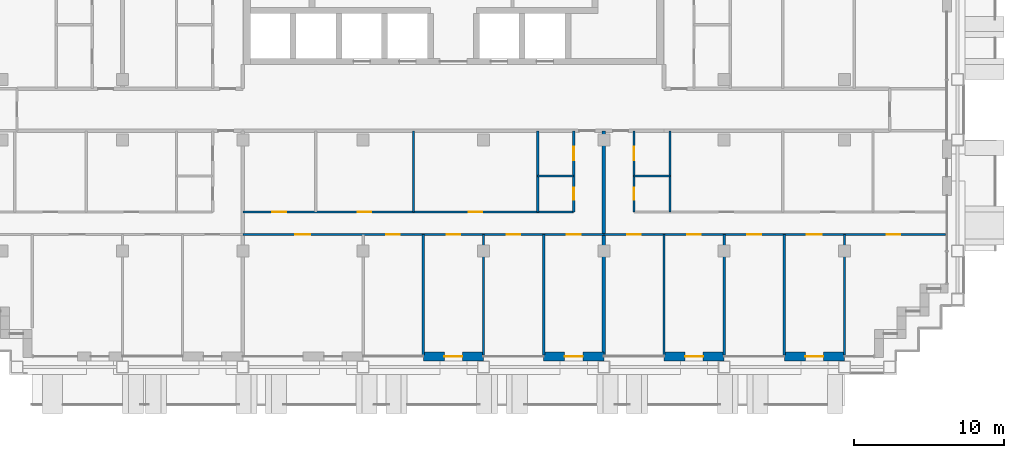
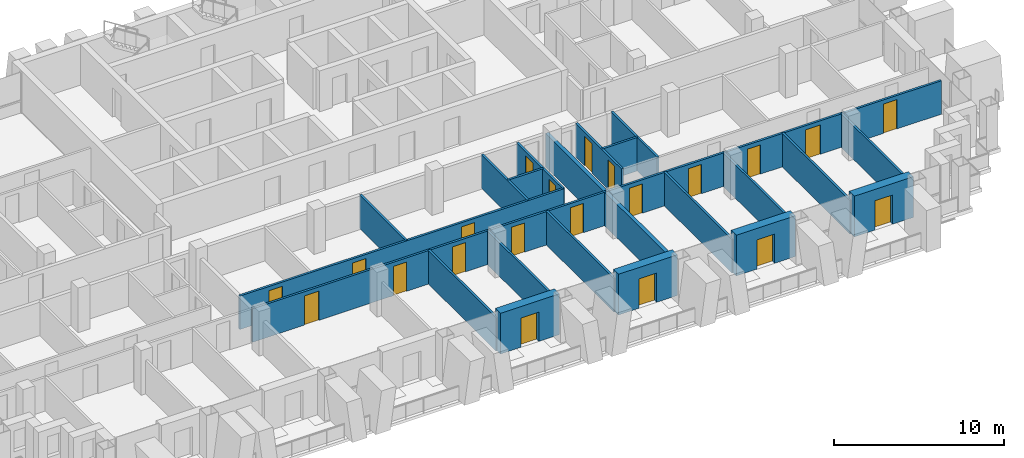
# One storey, part 9 of 18: 22 walls, 21 doors, 21 openings.
"""IFC4 building model written with IfcOpenShell, lengths in metres."""

from ifc_helpers import new_model, si_unit, direction, frame, frame_2d, origin, place, context, subcontext, project, spatial, rectangle, extrude, material, layer, layer_set, type_object, element, fill, save


model = new_model("IFC4")

# Units and contexts
model_context = context("Model", 3, precision=1e-05, world=origin(), true_north=direction((0.0, 1.0)))
body_context = subcontext(model_context, "Body", "Model", "MODEL_VIEW")
ifc_project = project(units=[si_unit("LENGTHUNIT", "METRE"), si_unit("AREAUNIT", "SQUARE_METRE"), si_unit("VOLUMEUNIT", "CUBIC_METRE"), si_unit("PLANEANGLEUNIT", "RADIAN"), si_unit("MASSUNIT", "GRAM", prefix="KILO")], contexts=[model_context])

# Site, building, storey
site_placement = place(None, origin())
site = spatial("IfcSite", under=ifc_project, at=site_placement, CompositionType="ELEMENT")
building_placement = place(site_placement, origin())
building = spatial("IfcBuilding", under=site, at=building_placement, Name="Vidyagriha Tower", CompositionType="ELEMENT")
storey_placement = place(building_placement, frame((0.0, 0.0, 142.199951171875)))
storey = spatial("IfcBuildingStorey", under=building, at=storey_placement, Name="L37", CompositionType="ELEMENT", Elevation=142.199951171875)

# Wall, opening, door
ifc_material_1 = material(Name="Precast concrete C40/50 with brick facing", Category="concrete")
ifc_layer_1 = layer(ifc_material_1, 0.60009765625)
ifc_layer_set_1 = layer_set([ifc_layer_1], Name="Precast concrete C40/50 with brick facing")
wall_type_1 = type_object("IfcWallType", Name="Brick-faced precast wall 600", PredefinedType="STANDARD", material=ifc_layer_set_1)
wall_1_placement = place(storey_placement, frame((-2.0, -16.39990234375, 0.0)))
wall_1 = element("IfcWall", 1, at=wall_1_placement, inside=storey, type_object=wall_type_1, Name="Brick door bay wall L37 R23.8", PredefinedType="STANDARD", context=body_context, shape_type="SweptSolid", body=[
    extrude(rectangle(XDim=4.0, YDim=0.60009765625, at=frame_2d((2.0, 0.0))), origin(), (0.0, 0.0, 1.0), 2.920166015625),
])
opening_1_placement = place(wall_1_placement, frame((1.39990234375, 0.0, 0.0)))
opening_1 = element("IfcOpeningElement", 2, at=opening_1_placement, cuts=wall_1, Name="Opening D37-71", PredefinedType="OPENING", context=body_context, shape_type="SweptSolid", body=[
    extrude(rectangle(XDim=1.199951171875, YDim=2.10009765625, at=frame_2d((0.60009765625, 1.050048828125))), frame((0.0, 0.31005859375, 0.0), z_axis=(0.0, -1.0, 0.0), x_axis=(1.0, 0.0, 0.0)), (0.0, 0.0, 1.0), 0.6201171875),
])
ifc_material_2 = material(Name="Aluminium framed glazed sliding door", Category="aluminium")
door_type_1 = type_object("IfcDoorType", Name="Balcony sliding door 1200x2100", OperationType="NOTDEFINED", PredefinedType="DOOR", material=ifc_material_2)
door_1_placement = place(opening_1_placement, origin())
door_1 = element("IfcDoor", 3, at=door_1_placement, inside=storey, type_object=door_type_1, Name="Door D37-71", OperationType="SLIDING_TO_LEFT", OverallHeight=2.10009765625, OverallWidth=1.199951171875, PredefinedType="DOOR", context=body_context, shape_type="SweptSolid", body=[
    extrude(rectangle(XDim=1.199951171875, YDim=2.10009765625, at=frame_2d((0.60009765625, 1.050048828125))), frame((0.0, 0.02490234375, 0.0), z_axis=(0.0, -1.0, 0.0), x_axis=(1.0, 0.0, 0.0)), (0.0, 0.0, 1.0), 0.050048828125),
])
fill(opening_1, door_1)

wall_2_placement = place(storey_placement, frame((6.0, -16.39990234375, 0.0)))
wall_2 = element("IfcWall", 4, at=wall_2_placement, inside=storey, type_object=wall_type_1, Name="Brick door bay wall L37 R23.10", PredefinedType="STANDARD", context=body_context, shape_type="SweptSolid", body=[
    extrude(rectangle(XDim=4.0, YDim=0.60009765625, at=frame_2d((2.0, 0.0))), origin(), (0.0, 0.0, 1.0), 2.920166015625),
])
opening_2_placement = place(wall_2_placement, frame((1.39990234375, 0.0, 0.0)))
opening_2 = element("IfcOpeningElement", 5, at=opening_2_placement, cuts=wall_2, Name="Opening D37-72", PredefinedType="OPENING", context=body_context, shape_type="SweptSolid", body=[
    extrude(rectangle(XDim=1.199951171875, YDim=2.10009765625, at=frame_2d((0.60009765625, 1.050048828125))), frame((0.0, 0.31005859375, 0.0), z_axis=(0.0, -1.0, 0.0), x_axis=(1.0, 0.0, 0.0)), (0.0, 0.0, 1.0), 0.6201171875),
])
door_2_placement = place(opening_2_placement, origin())
door_2 = element("IfcDoor", 6, at=door_2_placement, inside=storey, type_object=door_type_1, Name="Door D37-72", OperationType="SLIDING_TO_LEFT", OverallHeight=2.10009765625, OverallWidth=1.199951171875, PredefinedType="DOOR", context=body_context, shape_type="SweptSolid", body=[
    extrude(rectangle(XDim=1.199951171875, YDim=2.10009765625, at=frame_2d((0.60009765625, 1.050048828125))), frame((0.0, 0.02490234375, 0.0), z_axis=(0.0, -1.0, 0.0), x_axis=(1.0, 0.0, 0.0)), (0.0, 0.0, 1.0), 0.050048828125),
])
fill(opening_2, door_2)

wall_3_placement = place(storey_placement, frame((14.0, -16.39990234375, 0.0)))
wall_3 = element("IfcWall", 7, at=wall_3_placement, inside=storey, type_object=wall_type_1, Name="Brick door bay wall L37 R23.12", PredefinedType="STANDARD", context=body_context, shape_type="SweptSolid", body=[
    extrude(rectangle(XDim=4.0, YDim=0.60009765625, at=frame_2d((2.0, 0.0))), origin(), (0.0, 0.0, 1.0), 2.920166015625),
])
opening_3_placement = place(wall_3_placement, frame((1.39990234375, 0.0, 0.0)))
opening_3 = element("IfcOpeningElement", 8, at=opening_3_placement, cuts=wall_3, Name="Opening D37-73", PredefinedType="OPENING", context=body_context, shape_type="SweptSolid", body=[
    extrude(rectangle(XDim=1.199951171875, YDim=2.10009765625, at=frame_2d((0.60009765625, 1.050048828125))), frame((0.0, 0.31005859375, 0.0), z_axis=(0.0, -1.0, 0.0), x_axis=(1.0, 0.0, 0.0)), (0.0, 0.0, 1.0), 0.6201171875),
])
door_3_placement = place(opening_3_placement, origin())
door_3 = element("IfcDoor", 9, at=door_3_placement, inside=storey, type_object=door_type_1, Name="Door D37-73", OperationType="SLIDING_TO_LEFT", OverallHeight=2.10009765625, OverallWidth=1.199951171875, PredefinedType="DOOR", context=body_context, shape_type="SweptSolid", body=[
    extrude(rectangle(XDim=1.199951171875, YDim=2.10009765625, at=frame_2d((0.60009765625, 1.050048828125))), frame((0.0, 0.02490234375, 0.0), z_axis=(0.0, -1.0, 0.0), x_axis=(1.0, 0.0, 0.0)), (0.0, 0.0, 1.0), 0.050048828125),
])
fill(opening_3, door_3)

wall_4_placement = place(storey_placement, frame((22.0, -16.39990234375, 0.0)))
wall_4 = element("IfcWall", 10, at=wall_4_placement, inside=storey, type_object=wall_type_1, Name="Brick door bay wall L37 R23.14", PredefinedType="STANDARD", context=body_context, shape_type="SweptSolid", body=[
    extrude(rectangle(XDim=4.0, YDim=0.60009765625, at=frame_2d((2.0, 0.0))), origin(), (0.0, 0.0, 1.0), 2.920166015625),
])
opening_4_placement = place(wall_4_placement, frame((1.39990234375, 0.0, 0.0)))
opening_4 = element("IfcOpeningElement", 11, at=opening_4_placement, cuts=wall_4, Name="Opening D37-74", PredefinedType="OPENING", context=body_context, shape_type="SweptSolid", body=[
    extrude(rectangle(XDim=1.199951171875, YDim=2.10009765625, at=frame_2d((0.60009765625, 1.050048828125))), frame((0.0, 0.31005859375, 0.0), z_axis=(0.0, -1.0, 0.0), x_axis=(1.0, 0.0, 0.0)), (0.0, 0.0, 1.0), 0.6201171875),
])
door_4_placement = place(opening_4_placement, origin())
door_4 = element("IfcDoor", 12, at=door_4_placement, inside=storey, type_object=door_type_1, Name="Door D37-74", OperationType="SLIDING_TO_LEFT", OverallHeight=2.10009765625, OverallWidth=1.199951171875, PredefinedType="DOOR", context=body_context, shape_type="SweptSolid", body=[
    extrude(rectangle(XDim=1.199951171875, YDim=2.10009765625, at=frame_2d((0.60009765625, 1.050048828125))), frame((0.0, 0.02490234375, 0.0), z_axis=(0.0, -1.0, 0.0), x_axis=(1.0, 0.0, 0.0)), (0.0, 0.0, 1.0), 0.050048828125),
])
fill(opening_4, door_4)

# Walls
ifc_material_3 = material(Name="Fired clay brick masonry", Category="masonry")
ifc_layer_2 = layer(ifc_material_3, 0.25)
ifc_layer_set_2 = layer_set([ifc_layer_2], Name="Fired clay brick masonry")
wall_type_2 = type_object("IfcWallType", Name="Fired clay brick demising wall 250", PredefinedType="PARTITIONING", material=ifc_layer_set_2)
wall_5_placement = place(storey_placement, frame((10.0, -1.39990234375, 0.0), z_axis=(0.0, 0.0, 1.0), x_axis=(0.0, -1.0, 0.0)))
element("IfcWall", 13, at=wall_5_placement, inside=storey, type_object=wall_type_2, Name="Wall all-L37-w066", PredefinedType="PARTITIONING", context=body_context, shape_type="SweptSolid", body=[
    extrude(rectangle(XDim=14.91015625, YDim=0.25, at=frame_2d((7.455078125, 0.0))), origin(), (0.0, 0.0, 1.0), 2.400146484375),
])
ifc_material_4 = material(Name="Gypsum board partition")
ifc_layer_3 = layer(ifc_material_4, 0.14990234375)
ifc_layer_set_3 = layer_set([ifc_layer_3], Name="Gypsum board partition")
wall_type_3 = type_object("IfcWallType", Name="Gypsum board partition 150", PredefinedType="PARTITIONING", material=ifc_layer_set_3)
wall_6_placement = place(storey_placement, frame((8.0, -4.39990234375, 0.0), z_axis=(0.0, 0.0, 1.0), x_axis=(-1.0, 0.0, 0.0)))
element("IfcWall", 14, at=wall_6_placement, inside=storey, type_object=wall_type_3, Name="Wall all-L37-w024", PredefinedType="PARTITIONING", context=body_context, shape_type="SweptSolid", body=[
    extrude(rectangle(XDim=2.39990234375, YDim=0.14990234375, at=frame_2d((1.199951171875, 0.0))), origin(), (0.0, 0.0, 1.0), 2.400146484375),
])
for number, where, z_axis, x_axis, name in (
    (15, (5.60009765625, -6.800048828125, 0.0), (0.0, 0.0, 1.0), (0.0, 1.0, 0.0), "Wall all-L37-w025"),
    (16, (-2.64990234375, -6.800048828125, 0.0), (0.0, 0.0, 1.0), (0.0, 1.0, 0.0), "Wall all-L37-w026"),
):
    element("IfcWall", number, at=place(storey_placement, frame(where, z_axis=z_axis, x_axis=x_axis)), inside=storey, type_object=wall_type_3, Name=name, PredefinedType="PARTITIONING", context=body_context, shape_type="SweptSolid", body=[
        extrude(rectangle(XDim=5.400146484375, YDim=0.14990234375, at=frame_2d((2.7001953125, 0.0))), origin(), (0.0, 0.0, 1.0), 2.400146484375),
    ])

# Wall, openings, doors
wall_7_placement = place(storey_placement, frame((-14.0, -6.800048828125, 0.0)))
wall_7 = element("IfcWall", 17, at=wall_7_placement, inside=storey, type_object=wall_type_3, Name="Wall all-L37-w028", PredefinedType="PARTITIONING", context=body_context, shape_type="SweptSolid", body=[
    extrude(rectangle(XDim=22.0, YDim=0.14990234375, at=frame_2d((11.0, 0.0))), origin(), (0.0, 0.0, 1.0), 2.400146484375),
])
opening_5_placement = place(wall_7_placement, frame((15.02490234375, 0.0, 0.0)))
opening_5 = element("IfcOpeningElement", 18, at=opening_5_placement, cuts=wall_7, Name="Opening D37-25", PredefinedType="OPENING", context=body_context, shape_type="SweptSolid", body=[
    extrude(rectangle(XDim=0.89990234375, YDim=2.10009765625, at=frame_2d((0.449951171875, 1.050048828125))), frame((0.0, 0.0849609375, 0.0), z_axis=(0.0, -1.0, 0.0), x_axis=(1.0, 0.0, 0.0)), (0.0, 0.0, 1.0), 0.169921875),
])
opening_6_placement = place(wall_7_placement, frame((7.64990234375, 0.0, 0.0)))
opening_6 = element("IfcOpeningElement", 19, at=opening_6_placement, cuts=wall_7, Name="Opening D37-26", PredefinedType="OPENING", context=body_context, shape_type="SweptSolid", body=[
    extrude(rectangle(XDim=0.89990234375, YDim=2.10009765625, at=frame_2d((0.449951171875, 1.050048828125))), frame((0.0, 0.0849609375, 0.0), z_axis=(0.0, -1.0, 0.0), x_axis=(1.0, 0.0, 0.0)), (0.0, 0.0, 1.0), 0.169921875),
])
opening_7_placement = place(wall_7_placement, frame((1.97509765625, 0.0, 0.0)))
opening_7 = element("IfcOpeningElement", 20, at=opening_7_placement, cuts=wall_7, Name="Opening D37-27", PredefinedType="OPENING", context=body_context, shape_type="SweptSolid", body=[
    extrude(rectangle(XDim=0.89990234375, YDim=2.10009765625, at=frame_2d((0.449951171875, 1.050048828125))), frame((0.0, 0.0849609375, 0.0), z_axis=(0.0, -1.0, 0.0), x_axis=(1.0, 0.0, 0.0)), (0.0, 0.0, 1.0), 0.169921875),
])
ifc_material_5 = material(Name="Timber door leaf", Category="wood")
door_type_2 = type_object("IfcDoorType", Name="Room door 900x2100", OperationType="NOTDEFINED", PredefinedType="DOOR", material=ifc_material_5)
door_5_placement = place(opening_5_placement, origin())
door_5 = element("IfcDoor", 21, at=door_5_placement, inside=storey, type_object=door_type_2, Name="Door D37-25", OperationType="SINGLE_SWING_RIGHT", OverallHeight=2.10009765625, OverallWidth=0.89990234375, PredefinedType="DOOR", context=body_context, shape_type="SweptSolid", body=[
    extrude(rectangle(XDim=0.89990234375, YDim=2.10009765625, at=frame_2d((0.449951171875, 1.050048828125))), frame((0.0, 0.02490234375, 0.0), z_axis=(0.0, -1.0, 0.0), x_axis=(1.0, 0.0, 0.0)), (0.0, 0.0, 1.0), 0.050048828125),
])
fill(opening_5, door_5)
door_6_placement = place(opening_6_placement, origin())
door_6 = element("IfcDoor", 22, at=door_6_placement, inside=storey, type_object=door_type_2, Name="Door D37-26", OperationType="SINGLE_SWING_LEFT", OverallHeight=2.10009765625, OverallWidth=0.89990234375, PredefinedType="DOOR", context=body_context, shape_type="SweptSolid", body=[
    extrude(rectangle(XDim=0.89990234375, YDim=2.10009765625, at=frame_2d((0.449951171875, 1.050048828125))), frame((0.0, 0.02490234375, 0.0), z_axis=(0.0, -1.0, 0.0), x_axis=(1.0, 0.0, 0.0)), (0.0, 0.0, 1.0), 0.050048828125),
])
fill(opening_6, door_6)
door_7_placement = place(opening_7_placement, origin())
door_7 = element("IfcDoor", 23, at=door_7_placement, inside=storey, type_object=door_type_2, Name="Door D37-27", OperationType="SINGLE_SWING_RIGHT", OverallHeight=2.10009765625, OverallWidth=0.89990234375, PredefinedType="DOOR", context=body_context, shape_type="SweptSolid", body=[
    extrude(rectangle(XDim=0.89990234375, YDim=2.10009765625, at=frame_2d((0.449951171875, 1.050048828125))), frame((0.0, 0.02490234375, 0.0), z_axis=(0.0, -1.0, 0.0), x_axis=(1.0, 0.0, 0.0)), (0.0, 0.0, 1.0), 0.050048828125),
])
fill(opening_7, door_7)

wall_8_placement = place(storey_placement, frame((10.0, -8.300048828125, 0.0), z_axis=(0.0, 0.0, 1.0), x_axis=(-1.0, 0.0, 0.0)))
wall_8 = element("IfcWall", 24, at=wall_8_placement, inside=storey, type_object=wall_type_3, Name="Wall all-L37-w032", PredefinedType="PARTITIONING", context=body_context, shape_type="SweptSolid", body=[
    extrude(rectangle(XDim=24.0, YDim=0.14990234375, at=frame_2d((12.0, 0.0))), origin(), (0.0, 0.0, 1.0), 2.400146484375),
])
opening_8_placement = place(wall_8_placement, frame((19.5, 0.0, 0.0)))
opening_8 = element("IfcOpeningElement", 25, at=opening_8_placement, cuts=wall_8, Name="Opening D37-28", PredefinedType="OPENING", context=body_context, shape_type="SweptSolid", body=[
    extrude(rectangle(XDim=1.0, YDim=2.10009765625, at=frame_2d((0.5, 1.050048828125))), frame((0.0, 0.0849609375, 0.0), z_axis=(0.0, -1.0, 0.0), x_axis=(1.0, 0.0, 0.0)), (0.0, 0.0, 1.0), 0.169921875),
])
opening_9_placement = place(wall_8_placement, frame((13.550048828125, 0.0, 0.0)))
opening_9 = element("IfcOpeningElement", 26, at=opening_9_placement, cuts=wall_8, Name="Opening D37-29", PredefinedType="OPENING", context=body_context, shape_type="SweptSolid", body=[
    extrude(rectangle(XDim=0.89990234375, YDim=2.10009765625, at=frame_2d((0.449951171875, 1.050048828125))), frame((0.0, 0.0849609375, 0.0), z_axis=(0.0, -1.0, 0.0), x_axis=(1.0, 0.0, 0.0)), (0.0, 0.0, 1.0), 0.169921875),
])
opening_10_placement = place(wall_8_placement, frame((9.550048828125, 0.0, 0.0)))
opening_10 = element("IfcOpeningElement", 27, at=opening_10_placement, cuts=wall_8, Name="Opening D37-30", PredefinedType="OPENING", context=body_context, shape_type="SweptSolid", body=[
    extrude(rectangle(XDim=0.89990234375, YDim=2.10009765625, at=frame_2d((0.449951171875, 1.050048828125))), frame((0.0, 0.0849609375, 0.0), z_axis=(0.0, -1.0, 0.0), x_axis=(1.0, 0.0, 0.0)), (0.0, 0.0, 1.0), 0.169921875),
])
opening_11_placement = place(wall_8_placement, frame((5.550048828125, 0.0, 0.0)))
opening_11 = element("IfcOpeningElement", 28, at=opening_11_placement, cuts=wall_8, Name="Opening D37-31", PredefinedType="OPENING", context=body_context, shape_type="SweptSolid", body=[
    extrude(rectangle(XDim=0.89990234375, YDim=2.10009765625, at=frame_2d((0.449951171875, 1.050048828125))), frame((0.0, 0.0849609375, 0.0), z_axis=(0.0, -1.0, 0.0), x_axis=(1.0, 0.0, 0.0)), (0.0, 0.0, 1.0), 0.169921875),
])
opening_12_placement = place(wall_8_placement, frame((1.550048828125, 0.0, 0.0)))
opening_12 = element("IfcOpeningElement", 29, at=opening_12_placement, cuts=wall_8, Name="Opening D37-32", PredefinedType="OPENING", context=body_context, shape_type="SweptSolid", body=[
    extrude(rectangle(XDim=0.89990234375, YDim=2.10009765625, at=frame_2d((0.449951171875, 1.050048828125))), frame((0.0, 0.0849609375, 0.0), z_axis=(0.0, -1.0, 0.0), x_axis=(1.0, 0.0, 0.0)), (0.0, 0.0, 1.0), 0.169921875),
])
ifc_material_6 = material(Name="Timber door leaf", Category="wood")
door_type_3 = type_object("IfcDoorType", Name="Room door 1000x2100", OperationType="NOTDEFINED", PredefinedType="DOOR", material=ifc_material_6)
door_8_placement = place(opening_8_placement, origin())
door_8 = element("IfcDoor", 30, at=door_8_placement, inside=storey, type_object=door_type_3, Name="Door D37-28", OperationType="SINGLE_SWING_RIGHT", OverallHeight=2.10009765625, OverallWidth=1.0, PredefinedType="DOOR", context=body_context, shape_type="SweptSolid", body=[
    extrude(rectangle(XDim=1.0, YDim=2.10009765625, at=frame_2d((0.5, 1.050048828125))), frame((0.0, 0.02490234375, 0.0), z_axis=(0.0, -1.0, 0.0), x_axis=(1.0, 0.0, 0.0)), (0.0, 0.0, 1.0), 0.050048828125),
])
fill(opening_8, door_8)
door_9_placement = place(opening_9_placement, origin())
door_9 = element("IfcDoor", 31, at=door_9_placement, inside=storey, type_object=door_type_2, Name="Door D37-29", OperationType="SINGLE_SWING_RIGHT", OverallHeight=2.10009765625, OverallWidth=0.89990234375, PredefinedType="DOOR", context=body_context, shape_type="SweptSolid", body=[
    extrude(rectangle(XDim=0.89990234375, YDim=2.10009765625, at=frame_2d((0.449951171875, 1.050048828125))), frame((0.0, 0.02490234375, 0.0), z_axis=(0.0, -1.0, 0.0), x_axis=(1.0, 0.0, 0.0)), (0.0, 0.0, 1.0), 0.050048828125),
])
fill(opening_9, door_9)
door_10_placement = place(opening_10_placement, origin())
door_10 = element("IfcDoor", 32, at=door_10_placement, inside=storey, type_object=door_type_2, Name="Door D37-30", OperationType="SINGLE_SWING_RIGHT", OverallHeight=2.10009765625, OverallWidth=0.89990234375, PredefinedType="DOOR", context=body_context, shape_type="SweptSolid", body=[
    extrude(rectangle(XDim=0.89990234375, YDim=2.10009765625, at=frame_2d((0.449951171875, 1.050048828125))), frame((0.0, 0.02490234375, 0.0), z_axis=(0.0, -1.0, 0.0), x_axis=(1.0, 0.0, 0.0)), (0.0, 0.0, 1.0), 0.050048828125),
])
fill(opening_10, door_10)
door_11_placement = place(opening_11_placement, origin())
door_11 = element("IfcDoor", 33, at=door_11_placement, inside=storey, type_object=door_type_2, Name="Door D37-31", OperationType="SINGLE_SWING_RIGHT", OverallHeight=2.10009765625, OverallWidth=0.89990234375, PredefinedType="DOOR", context=body_context, shape_type="SweptSolid", body=[
    extrude(rectangle(XDim=0.89990234375, YDim=2.10009765625, at=frame_2d((0.449951171875, 1.050048828125))), frame((0.0, 0.02490234375, 0.0), z_axis=(0.0, -1.0, 0.0), x_axis=(1.0, 0.0, 0.0)), (0.0, 0.0, 1.0), 0.050048828125),
])
fill(opening_11, door_11)
door_12_placement = place(opening_12_placement, origin())
door_12 = element("IfcDoor", 34, at=door_12_placement, inside=storey, type_object=door_type_2, Name="Door D37-32", OperationType="SINGLE_SWING_RIGHT", OverallHeight=2.10009765625, OverallWidth=0.89990234375, PredefinedType="DOOR", context=body_context, shape_type="SweptSolid", body=[
    extrude(rectangle(XDim=0.89990234375, YDim=2.10009765625, at=frame_2d((0.449951171875, 1.050048828125))), frame((0.0, 0.02490234375, 0.0), z_axis=(0.0, -1.0, 0.0), x_axis=(1.0, 0.0, 0.0)), (0.0, 0.0, 1.0), 0.050048828125),
])
fill(opening_12, door_12)

# Walls
wall_9_placement = place(storey_placement, frame((-2.0, -8.300048828125, 0.0), z_axis=(0.0, 0.0, 1.0), x_axis=(0.0, -1.0, 0.0)))
element("IfcWall", 35, at=wall_9_placement, inside=storey, type_object=wall_type_3, Name="Wall all-L37-w039", PredefinedType="PARTITIONING", context=body_context, shape_type="SweptSolid", body=[
    extrude(rectangle(XDim=8.02099609375, YDim=0.14990234375, at=frame_2d((4.010498046875, 0.0))), origin(), (0.0, 0.0, 1.0), 2.400146484375),
])
wall_10_placement = place(storey_placement, frame((2.0, -8.300048828125, 0.0), z_axis=(0.0, 0.0, 1.0), x_axis=(0.0, -1.0, 0.0)))
element("IfcWall", 36, at=wall_10_placement, inside=storey, type_object=wall_type_3, Name="Wall all-L37-w040", PredefinedType="PARTITIONING", context=body_context, shape_type="SweptSolid", body=[
    extrude(rectangle(XDim=8.010009765625, YDim=0.14990234375, at=frame_2d((4.0048828125, 0.0))), origin(), (0.0, 0.0, 1.0), 2.400146484375),
])
wall_11_placement = place(storey_placement, frame((6.0, -8.300048828125, 0.0), z_axis=(0.0, 0.0, 1.0), x_axis=(0.0, -1.0, 0.0)))
element("IfcWall", 37, at=wall_11_placement, inside=storey, type_object=wall_type_3, Name="Wall all-L37-w041", PredefinedType="PARTITIONING", context=body_context, shape_type="SweptSolid", body=[
    extrude(rectangle(XDim=8.02099609375, YDim=0.14990234375, at=frame_2d((4.010498046875, 0.0))), origin(), (0.0, 0.0, 1.0), 2.400146484375),
])
wall_12_placement = place(storey_placement, frame((14.39990234375, -4.39990234375, 0.0), z_axis=(0.0, 0.0, 1.0), x_axis=(-1.0, 0.0, 0.0)))
element("IfcWall", 38, at=wall_12_placement, inside=storey, type_object=wall_type_3, Name="Wall all-L37-w047", PredefinedType="PARTITIONING", context=body_context, shape_type="SweptSolid", body=[
    extrude(rectangle(XDim=2.39990234375, YDim=0.14990234375, at=frame_2d((1.199951171875, 0.0))), origin(), (0.0, 0.0, 1.0), 2.400146484375),
])
wall_13_placement = place(storey_placement, frame((14.39990234375, -1.39990234375, 0.0), z_axis=(0.0, 0.0, 1.0), x_axis=(0.0, -1.0, 0.0)))
element("IfcWall", 39, at=wall_13_placement, inside=storey, type_object=wall_type_3, Name="Wall all-L37-w048", PredefinedType="PARTITIONING", context=body_context, shape_type="SweptSolid", body=[
    extrude(rectangle(XDim=5.400146484375, YDim=0.14990234375, at=frame_2d((2.7001953125, 0.0))), origin(), (0.0, 0.0, 1.0), 2.400146484375),
])

# Wall, openings, doors
wall_14_placement = place(storey_placement, frame((32.719970703125, -8.300048828125, 0.0), z_axis=(0.0, 0.0, 1.0), x_axis=(-1.0, 0.0, 0.0)))
wall_14 = element("IfcWall", 40, at=wall_14_placement, inside=storey, type_object=wall_type_3, Name="Wall all-L37-w055", PredefinedType="PARTITIONING", context=body_context, shape_type="SweptSolid", body=[
    extrude(rectangle(XDim=22.719970703125, YDim=0.14990234375, at=frame_2d((11.35986328125, 0.0))), origin(), (0.0, 0.0, 1.0), 2.400146484375),
])
opening_13_placement = place(wall_14_placement, frame((20.27001953125, 0.0, 0.0)))
opening_13 = element("IfcOpeningElement", 41, at=opening_13_placement, cuts=wall_14, Name="Opening D37-39", PredefinedType="OPENING", context=body_context, shape_type="SweptSolid", body=[
    extrude(rectangle(XDim=0.89990234375, YDim=2.10009765625, at=frame_2d((0.449951171875, 1.050048828125))), frame((0.0, 0.0849609375, 0.0), z_axis=(0.0, -1.0, 0.0), x_axis=(1.0, 0.0, 0.0)), (0.0, 0.0, 1.0), 0.169921875),
])
opening_14_placement = place(wall_14_placement, frame((16.27001953125, 0.0, 0.0)))
opening_14 = element("IfcOpeningElement", 42, at=opening_14_placement, cuts=wall_14, Name="Opening D37-40", PredefinedType="OPENING", context=body_context, shape_type="SweptSolid", body=[
    extrude(rectangle(XDim=0.89990234375, YDim=2.10009765625, at=frame_2d((0.449951171875, 1.050048828125))), frame((0.0, 0.0849609375, 0.0), z_axis=(0.0, -1.0, 0.0), x_axis=(1.0, 0.0, 0.0)), (0.0, 0.0, 1.0), 0.169921875),
])
opening_15_placement = place(wall_14_placement, frame((12.27001953125, 0.0, 0.0)))
opening_15 = element("IfcOpeningElement", 43, at=opening_15_placement, cuts=wall_14, Name="Opening D37-41", PredefinedType="OPENING", context=body_context, shape_type="SweptSolid", body=[
    extrude(rectangle(XDim=0.89990234375, YDim=2.10009765625, at=frame_2d((0.449951171875, 1.050048828125))), frame((0.0, 0.0849609375, 0.0), z_axis=(0.0, -1.0, 0.0), x_axis=(1.0, 0.0, 0.0)), (0.0, 0.0, 1.0), 0.169921875),
])
opening_16_placement = place(wall_14_placement, frame((8.219970703125, 0.0, 0.0)))
opening_16 = element("IfcOpeningElement", 44, at=opening_16_placement, cuts=wall_14, Name="Opening D37-42", PredefinedType="OPENING", context=body_context, shape_type="SweptSolid", body=[
    extrude(rectangle(XDim=1.0, YDim=2.10009765625, at=frame_2d((0.5, 1.050048828125))), frame((0.0, 0.0849609375, 0.0), z_axis=(0.0, -1.0, 0.0), x_axis=(1.0, 0.0, 0.0)), (0.0, 0.0, 1.0), 0.169921875),
])
opening_17_placement = place(wall_14_placement, frame((3.02001953125, 0.0, 0.0)))
opening_17 = element("IfcOpeningElement", 45, at=opening_17_placement, cuts=wall_14, Name="Opening D37-43", PredefinedType="OPENING", context=body_context, shape_type="SweptSolid", body=[
    extrude(rectangle(XDim=0.89990234375, YDim=2.10009765625, at=frame_2d((0.449951171875, 1.050048828125))), frame((0.0, 0.0849609375, 0.0), z_axis=(0.0, -1.0, 0.0), x_axis=(1.0, 0.0, 0.0)), (0.0, 0.0, 1.0), 0.169921875),
])
door_13_placement = place(opening_16_placement, origin())
door_13 = element("IfcDoor", 46, at=door_13_placement, inside=storey, type_object=door_type_3, Name="Door D37-42", OperationType="SINGLE_SWING_RIGHT", OverallHeight=2.10009765625, OverallWidth=1.0, PredefinedType="DOOR", context=body_context, shape_type="SweptSolid", body=[
    extrude(rectangle(XDim=1.0, YDim=2.10009765625, at=frame_2d((0.5, 1.050048828125))), frame((0.0, 0.02490234375, 0.0), z_axis=(0.0, -1.0, 0.0), x_axis=(1.0, 0.0, 0.0)), (0.0, 0.0, 1.0), 0.050048828125),
])
fill(opening_16, door_13)
door_14_placement = place(opening_13_placement, origin())
door_14 = element("IfcDoor", 47, at=door_14_placement, inside=storey, type_object=door_type_2, Name="Door D37-39", OperationType="SINGLE_SWING_RIGHT", OverallHeight=2.10009765625, OverallWidth=0.89990234375, PredefinedType="DOOR", context=body_context, shape_type="SweptSolid", body=[
    extrude(rectangle(XDim=0.89990234375, YDim=2.10009765625, at=frame_2d((0.449951171875, 1.050048828125))), frame((0.0, 0.02490234375, 0.0), z_axis=(0.0, -1.0, 0.0), x_axis=(1.0, 0.0, 0.0)), (0.0, 0.0, 1.0), 0.050048828125),
])
fill(opening_13, door_14)
door_15_placement = place(opening_14_placement, origin())
door_15 = element("IfcDoor", 48, at=door_15_placement, inside=storey, type_object=door_type_2, Name="Door D37-40", OperationType="SINGLE_SWING_RIGHT", OverallHeight=2.10009765625, OverallWidth=0.89990234375, PredefinedType="DOOR", context=body_context, shape_type="SweptSolid", body=[
    extrude(rectangle(XDim=0.89990234375, YDim=2.10009765625, at=frame_2d((0.449951171875, 1.050048828125))), frame((0.0, 0.02490234375, 0.0), z_axis=(0.0, -1.0, 0.0), x_axis=(1.0, 0.0, 0.0)), (0.0, 0.0, 1.0), 0.050048828125),
])
fill(opening_14, door_15)
door_16_placement = place(opening_15_placement, origin())
door_16 = element("IfcDoor", 49, at=door_16_placement, inside=storey, type_object=door_type_2, Name="Door D37-41", OperationType="SINGLE_SWING_RIGHT", OverallHeight=2.10009765625, OverallWidth=0.89990234375, PredefinedType="DOOR", context=body_context, shape_type="SweptSolid", body=[
    extrude(rectangle(XDim=0.89990234375, YDim=2.10009765625, at=frame_2d((0.449951171875, 1.050048828125))), frame((0.0, 0.02490234375, 0.0), z_axis=(0.0, -1.0, 0.0), x_axis=(1.0, 0.0, 0.0)), (0.0, 0.0, 1.0), 0.050048828125),
])
fill(opening_15, door_16)
door_17_placement = place(opening_17_placement, origin())
door_17 = element("IfcDoor", 50, at=door_17_placement, inside=storey, type_object=door_type_2, Name="Door D37-43", OperationType="SINGLE_SWING_RIGHT", OverallHeight=2.10009765625, OverallWidth=0.89990234375, PredefinedType="DOOR", context=body_context, shape_type="SweptSolid", body=[
    extrude(rectangle(XDim=0.89990234375, YDim=2.10009765625, at=frame_2d((0.449951171875, 1.050048828125))), frame((0.0, 0.02490234375, 0.0), z_axis=(0.0, -1.0, 0.0), x_axis=(1.0, 0.0, 0.0)), (0.0, 0.0, 1.0), 0.050048828125),
])
fill(opening_17, door_17)

# Walls
wall_15_placement = place(storey_placement, frame((14.0, -8.300048828125, 0.0), z_axis=(0.0, 0.0, 1.0), x_axis=(0.0, -1.0, 0.0)))
element("IfcWall", 51, at=wall_15_placement, inside=storey, type_object=wall_type_3, Name="Wall all-L37-w061", PredefinedType="PARTITIONING", context=body_context, shape_type="SweptSolid", body=[
    extrude(rectangle(XDim=8.02099609375, YDim=0.14990234375, at=frame_2d((4.010498046875, 0.0))), origin(), (0.0, 0.0, 1.0), 2.400146484375),
])
wall_16_placement = place(storey_placement, frame((18.0, -8.300048828125, 0.0), z_axis=(0.0, 0.0, 1.0), x_axis=(0.0, -1.0, 0.0)))
element("IfcWall", 52, at=wall_16_placement, inside=storey, type_object=wall_type_3, Name="Wall all-L37-w062", PredefinedType="PARTITIONING", context=body_context, shape_type="SweptSolid", body=[
    extrude(rectangle(XDim=8.010009765625, YDim=0.14990234375, at=frame_2d((4.0048828125, 0.0))), origin(), (0.0, 0.0, 1.0), 2.400146484375),
])
wall_17_placement = place(storey_placement, frame((22.0, -8.300048828125, 0.0), z_axis=(0.0, 0.0, 1.0), x_axis=(0.0, -1.0, 0.0)))
element("IfcWall", 53, at=wall_17_placement, inside=storey, type_object=wall_type_3, Name="Wall all-L37-w063", PredefinedType="PARTITIONING", context=body_context, shape_type="SweptSolid", body=[
    extrude(rectangle(XDim=8.02099609375, YDim=0.14990234375, at=frame_2d((4.010498046875, 0.0))), origin(), (0.0, 0.0, 1.0), 2.400146484375),
])
wall_18_placement = place(storey_placement, frame((26.0, -8.300048828125, 0.0), z_axis=(0.0, 0.0, 1.0), x_axis=(0.0, -1.0, 0.0)))
element("IfcWall", 54, at=wall_18_placement, inside=storey, type_object=wall_type_3, Name="Wall all-L37-w064", PredefinedType="PARTITIONING", context=body_context, shape_type="SweptSolid", body=[
    extrude(rectangle(XDim=8.010009765625, YDim=0.14990234375, at=frame_2d((4.0048828125, 0.0))), origin(), (0.0, 0.0, 1.0), 2.400146484375),
])

# Wall, openings, doors
ifc_material_7 = material(Name="Moisture resistant gypsum board partition")
ifc_layer_4 = layer(ifc_material_7, 0.14990234375)
ifc_layer_set_4 = layer_set([ifc_layer_4], Name="Moisture resistant gypsum board partition")
wall_type_4 = type_object("IfcWallType", Name="Gypsum board wet-area partition 150", PredefinedType="PARTITIONING", material=ifc_layer_set_4)
wall_19_placement = place(storey_placement, frame((8.0, -6.800048828125, 0.0), z_axis=(0.0, 0.0, 1.0), x_axis=(0.0, 1.0, 0.0)))
wall_19 = element("IfcWall", 55, at=wall_19_placement, inside=storey, type_object=wall_type_4, Name="Wall all-L37-w021", PredefinedType="PARTITIONING", context=body_context, shape_type="SweptSolid", body=[
    extrude(rectangle(XDim=5.400146484375, YDim=0.14990234375, at=frame_2d((2.7001953125, 0.0))), origin(), (0.0, 0.0, 1.0), 2.400146484375),
])
opening_18_placement = place(wall_19_placement, frame((3.449951171875, 0.0, 0.0)))
opening_18 = element("IfcOpeningElement", 56, at=opening_18_placement, cuts=wall_19, Name="Opening D37-23", PredefinedType="OPENING", context=body_context, shape_type="SweptSolid", body=[
    extrude(rectangle(XDim=0.89990234375, YDim=2.10009765625, at=frame_2d((0.449951171875, 1.050048828125))), frame((0.0, 0.0849609375, 0.0), z_axis=(0.0, -1.0, 0.0), x_axis=(1.0, 0.0, 0.0)), (0.0, 0.0, 1.0), 0.169921875),
])
opening_19_placement = place(wall_19_placement, frame((0.800048828125, 0.0, 0.0)))
opening_19 = element("IfcOpeningElement", 57, at=opening_19_placement, cuts=wall_19, Name="Opening D37-24", PredefinedType="OPENING", context=body_context, shape_type="SweptSolid", body=[
    extrude(rectangle(XDim=0.800048828125, YDim=2.10009765625, at=frame_2d((0.39990234375, 1.050048828125))), frame((0.0, 0.0849609375, 0.0), z_axis=(0.0, -1.0, 0.0), x_axis=(1.0, 0.0, 0.0)), (0.0, 0.0, 1.0), 0.169921875),
])
ifc_material_8 = material(Name="Timber door leaf", Category="wood")
door_type_4 = type_object("IfcDoorType", Name="Bathroom door 800x2100", OperationType="NOTDEFINED", PredefinedType="DOOR", material=ifc_material_8)
door_18_placement = place(opening_19_placement, origin())
door_18 = element("IfcDoor", 58, at=door_18_placement, inside=storey, type_object=door_type_4, Name="Door D37-24", OperationType="SINGLE_SWING_RIGHT", OverallHeight=2.10009765625, OverallWidth=0.800048828125, PredefinedType="DOOR", context=body_context, shape_type="SweptSolid", body=[
    extrude(rectangle(XDim=0.800048828125, YDim=2.10009765625, at=frame_2d((0.39990234375, 1.050048828125))), frame((0.0, 0.02490234375, 0.0), z_axis=(0.0, -1.0, 0.0), x_axis=(1.0, 0.0, 0.0)), (0.0, 0.0, 1.0), 0.050048828125),
])
fill(opening_19, door_18)
ifc_material_9 = material(Name="Timber door leaf", Category="wood")
door_type_5 = type_object("IfcDoorType", Name="Kitchen door 900x2100", OperationType="NOTDEFINED", PredefinedType="DOOR", material=ifc_material_9)
door_19_placement = place(opening_18_placement, origin())
door_19 = element("IfcDoor", 59, at=door_19_placement, inside=storey, type_object=door_type_5, Name="Door D37-23", OperationType="SINGLE_SWING_RIGHT", OverallHeight=2.10009765625, OverallWidth=0.89990234375, PredefinedType="DOOR", context=body_context, shape_type="SweptSolid", body=[
    extrude(rectangle(XDim=0.89990234375, YDim=2.10009765625, at=frame_2d((0.449951171875, 1.050048828125))), frame((0.0, 0.02490234375, 0.0), z_axis=(0.0, -1.0, 0.0), x_axis=(1.0, 0.0, 0.0)), (0.0, 0.0, 1.0), 0.050048828125),
])
fill(opening_18, door_19)

wall_20_placement = place(storey_placement, frame((12.0, -1.39990234375, 0.0), z_axis=(0.0, 0.0, 1.0), x_axis=(0.0, -1.0, 0.0)))
wall_20 = element("IfcWall", 60, at=wall_20_placement, inside=storey, type_object=wall_type_4, Name="Wall all-L37-w044", PredefinedType="PARTITIONING", context=body_context, shape_type="SweptSolid", body=[
    extrude(rectangle(XDim=5.400146484375, YDim=0.14990234375, at=frame_2d((2.7001953125, 0.0))), origin(), (0.0, 0.0, 1.0), 2.400146484375),
])
opening_20_placement = place(wall_20_placement, frame((1.050048828125, 0.0, 0.0)))
opening_20 = element("IfcOpeningElement", 61, at=opening_20_placement, cuts=wall_20, Name="Opening D37-34", PredefinedType="OPENING", context=body_context, shape_type="SweptSolid", body=[
    extrude(rectangle(XDim=0.89990234375, YDim=2.10009765625, at=frame_2d((0.449951171875, 1.050048828125))), frame((0.0, 0.0849609375, 0.0), z_axis=(0.0, -1.0, 0.0), x_axis=(1.0, 0.0, 0.0)), (0.0, 0.0, 1.0), 0.169921875),
])
opening_21_placement = place(wall_20_placement, frame((3.800048828125, 0.0, 0.0)))
opening_21 = element("IfcOpeningElement", 62, at=opening_21_placement, cuts=wall_20, Name="Opening D37-35", PredefinedType="OPENING", context=body_context, shape_type="SweptSolid", body=[
    extrude(rectangle(XDim=0.800048828125, YDim=2.10009765625, at=frame_2d((0.39990234375, 1.050048828125))), frame((0.0, 0.0849609375, 0.0), z_axis=(0.0, -1.0, 0.0), x_axis=(1.0, 0.0, 0.0)), (0.0, 0.0, 1.0), 0.169921875),
])
door_20_placement = place(opening_21_placement, origin())
door_20 = element("IfcDoor", 63, at=door_20_placement, inside=storey, type_object=door_type_4, Name="Door D37-35", OperationType="SINGLE_SWING_LEFT", OverallHeight=2.10009765625, OverallWidth=0.800048828125, PredefinedType="DOOR", context=body_context, shape_type="SweptSolid", body=[
    extrude(rectangle(XDim=0.800048828125, YDim=2.10009765625, at=frame_2d((0.39990234375, 1.050048828125))), frame((0.0, 0.02490234375, 0.0), z_axis=(0.0, -1.0, 0.0), x_axis=(1.0, 0.0, 0.0)), (0.0, 0.0, 1.0), 0.050048828125),
])
fill(opening_21, door_20)
door_21_placement = place(opening_20_placement, origin())
door_21 = element("IfcDoor", 64, at=door_21_placement, inside=storey, type_object=door_type_5, Name="Door D37-34", OperationType="SINGLE_SWING_RIGHT", OverallHeight=2.10009765625, OverallWidth=0.89990234375, PredefinedType="DOOR", context=body_context, shape_type="SweptSolid", body=[
    extrude(rectangle(XDim=0.89990234375, YDim=2.10009765625, at=frame_2d((0.449951171875, 1.050048828125))), frame((0.0, 0.02490234375, 0.0), z_axis=(0.0, -1.0, 0.0), x_axis=(1.0, 0.0, 0.0)), (0.0, 0.0, 1.0), 0.050048828125),
])
fill(opening_20, door_21)

save(model, "model.ifc")
